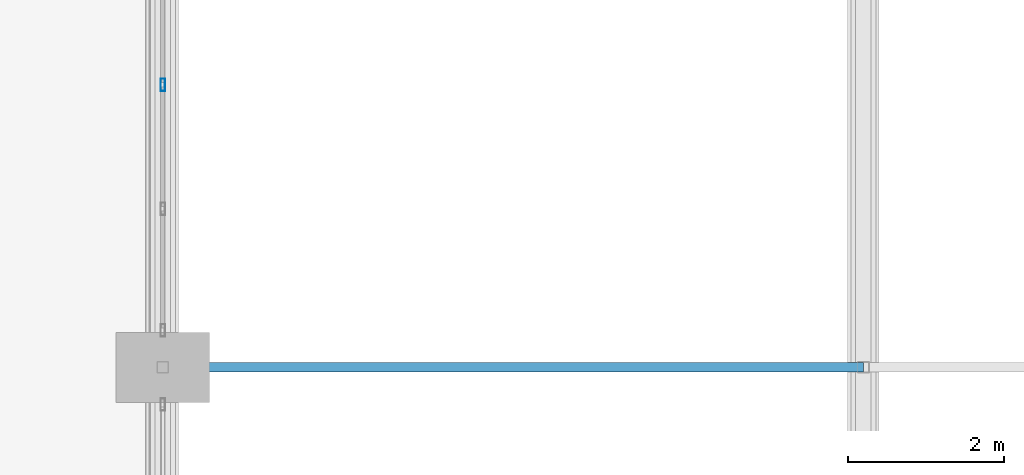
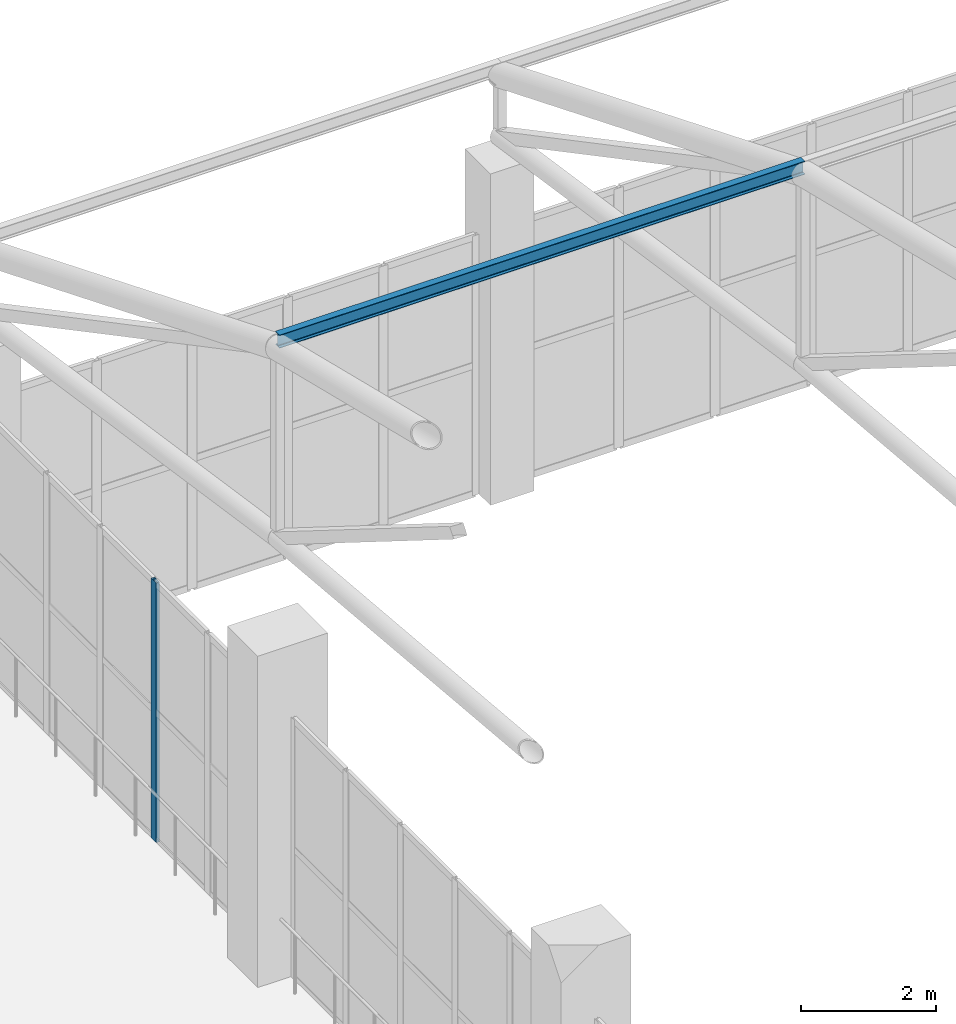
# One storey, part 124 of 223: 2 members, 1 element without a shape of its own.
"""IFC4 building model written with IfcOpenShell, lengths in metres."""

from ifc_helpers import new_model, si_unit, direction, frame, origin, origin_2d, place, context, subcontext, project, spatial, hollow_rectangle, i_section, extrude, material, layer, layer_set, material_profile, profile_set, type_object, element, aggregate, save


model = new_model("IFC4")

# Units and contexts
model_context = context("Model", 3, precision=1e-05, world=origin(), true_north=direction((0.0, 1.0)))
body_context = subcontext(model_context, "Body", "Model", "MODEL_VIEW")
ifc_project = project(units=[si_unit("LENGTHUNIT", "METRE"), si_unit("AREAUNIT", "SQUARE_METRE"), si_unit("VOLUMEUNIT", "CUBIC_METRE"), si_unit("PLANEANGLEUNIT", "RADIAN"), si_unit("MASSUNIT", "GRAM", prefix="KILO")], contexts=[model_context])

# Site, building, storey
site_placement = place(None, origin())
site = spatial("IfcSite", under=ifc_project, at=site_placement, CompositionType="ELEMENT")
building_placement = place(site_placement, origin())
building = spatial("IfcBuilding", under=site, at=building_placement, Name="Dornveld Trade and Exhibition Forum", CompositionType="ELEMENT")
storey_placement = place(building_placement, frame((0.0, 0.0, 6.0)))
storey = spatial("IfcBuildingStorey", under=building, at=storey_placement, Name="L01", CompositionType="ELEMENT", Elevation=6.0)

# Curtain wall, member
ifc_material_1 = material(Name="Dark-bronze anodised aluminium and low-E glass", Category="aluminium")
ifc_layer = layer(ifc_material_1, 0.196044921875)
ifc_layer_set = layer_set([ifc_layer], Name="Dark-bronze anodised aluminium and low-E glass")
curtain_wall_type = type_object("IfcCurtainWallType", Name="CW-SYS-18", PredefinedType="USERDEFINED", material=ifc_layer_set)
curtain_wall_placement = place(storey_placement, origin())
curtain_wall = element("IfcCurtainWall", 1, at=curtain_wall_placement, inside=storey, type_object=curtain_wall_type, Name="L01 unitised curtain wall 18", ObjectType="UNITISED_CURTAIN_WALL", PredefinedType="USERDEFINED")
ifc_material_2 = material(Name="Dark-bronze anodised aluminium", Category="aluminium")
ifc_material_profile_1 = material_profile(ifc_material_2, hollow_rectangle(XDim=0.06005859375, YDim=0.159912109375, WallThickness=0.00390625, at=origin_2d()), Name="RHS 160x60x4")
ifc_profile_set_1 = profile_set([ifc_material_profile_1], Name="Dark-bronze anodised aluminium")
member_type_1 = type_object("IfcMemberType", Name="CW-MUL-160", PredefinedType="MULLION", material=ifc_profile_set_1)
member_1_placement = place(storey_placement, frame((99.0, 156.629150390625, -0.00390625), z_axis=(0.0, 0.0, 1.0), x_axis=(1.0, 0.0, 0.0)))
member_1 = element("IfcMember", 2, at=member_1_placement, type_object=member_type_1, Name="CW-18 mullion 4", PredefinedType="MULLION", context=body_context, shape_type="SweptSolid", body=[
    extrude(hollow_rectangle(XDim=0.06005859375, YDim=0.159912109375, WallThickness=0.00390625, at=origin_2d()), origin(), (0.0, 0.0, 1.0), 4.703857421875),
])
aggregate(curtain_wall, [member_1])

# Member
ifc_material_3 = material(Name="Steel S355J2", Category="steel")
ifc_material_profile_2 = material_profile(ifc_material_3, i_section(OverallWidth=0.1201171875, OverallDepth=0.239990234375, WebThickness=0.006103515625, FlangeThickness=0.009765625, FilletRadius=0.014892578125, at=origin_2d()), Name="IPE 240")
ifc_profile_set_2 = profile_set([ifc_material_profile_2], Name="Steel S355J2")
member_type_2 = type_object("IfcMemberType", Name="MEM-PURLIN-240", PredefinedType="PURLIN", material=ifc_profile_set_2)
member_2_placement = place(storey_placement, frame((99.0, 153.0, 11.248779296875), z_axis=(1.0, 0.0, 0.0), x_axis=(0.0, 1.0, 0.0)))
element("IfcMember", 3, at=member_2_placement, inside=storey, type_object=member_type_2, Name="H1 bay 1 roof purlin 6", PredefinedType="PURLIN", context=body_context, shape_type="SweptSolid", body=[
    extrude(i_section(OverallWidth=0.1201171875, OverallDepth=0.239990234375, WebThickness=0.006103515625, FlangeThickness=0.009765625, FilletRadius=0.014892578125, at=origin_2d()), origin(), (0.0, 0.0, 1.0), 9.0),
])

save(model, "model.ifc")
